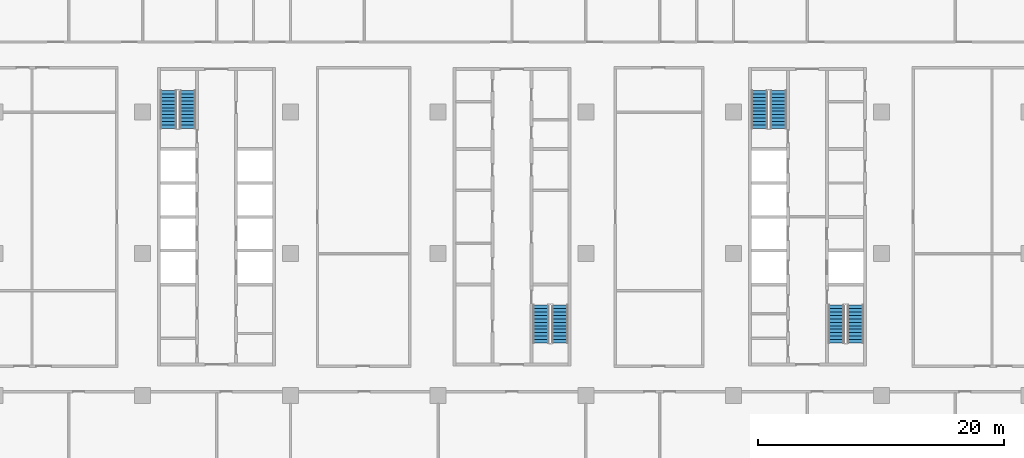
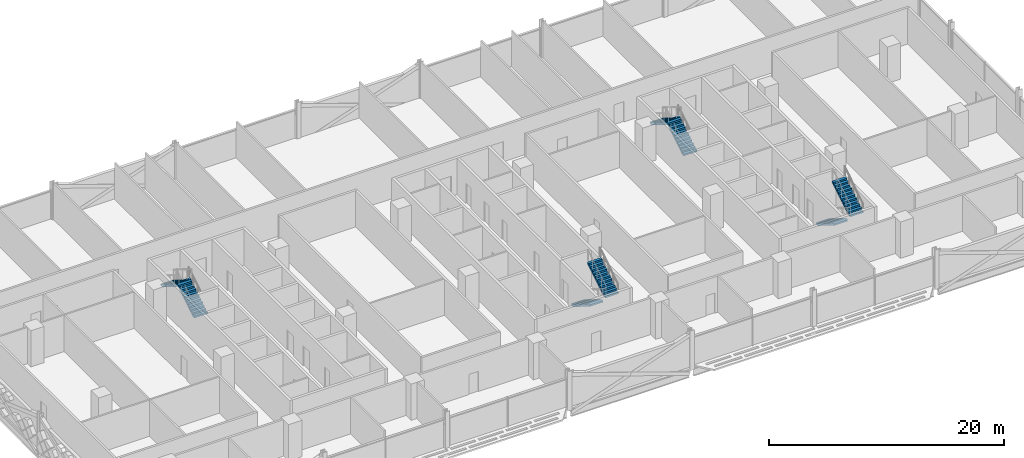
# One storey, part 19 of 29: 8 stair flights, 4 elements without a shape of their own.
"""IFC4 building model written with IfcOpenShell, lengths in metres."""

import ifcopenshell
import ifcopenshell.guid

model = None  # the IFC model being written
_history = None  # IfcOwnerHistory: only IFC2X3 demands one
_inside = {}  # id of a spatial element -> (the spatial element, [elements in it])
_under = {}  # id of a project, library or spatial element -> (it, [spatial elements below it])
_declared = {}  # id of a project -> (the project, [libraries it declares])
_typed = {}  # id of a type object -> (the type object, [elements of that type])
_made_of = {}  # id of a material, layer set ... -> (it, [elements and type objects made of it])


def new_model(schema):
    """Start an empty IFC model of exactly this schema.

    Asked for "IFC4X3", IfcOpenShell would pick the latest addendum, in which some entities
    have other attributes; the version numbers below select the first issue.
    IFC2X3 requires an IfcOwnerHistory on every rooted entity: one is made here for all.
    """
    global model, _history
    if schema == "IFC4X3":
        model = ifcopenshell.file(schema_version=(4, 3, 0, 0))
    else:
        model = ifcopenshell.file(schema=schema)
    _inside.clear()
    _under.clear()
    _declared.clear()
    _typed.clear()
    _made_of.clear()
    _history = None
    if model.schema == "IFC2X3":
        org = make("IfcOrganization", Name="unknown")
        user = make(
            "IfcPersonAndOrganization",
            ThePerson=make("IfcPerson", FamilyName="unknown"),
            TheOrganization=org,
        )
        app = make(
            "IfcApplication",
            ApplicationDeveloper=org,
            Version="unknown",
            ApplicationFullName="unknown",
            ApplicationIdentifier="unknown",
        )
        _history = make(
            "IfcOwnerHistory",
            OwningUser=user,
            OwningApplication=app,
            ChangeAction="ADDED",
            CreationDate=0,
        )
    return model


def make(cls, **values):
    """One entity of the class cls with the attributes given. An attribute that is None is left unset."""
    return model.create_entity(
        cls, **{name: value for name, value in values.items() if value is not None}
    )


def rooted(cls, **values):
    """An entity with a GlobalId (a new one), such as an element, a storey or a relation."""
    return make(cls, GlobalId=ifcopenshell.guid.new(), OwnerHistory=_history, **values)


def si_unit(unit_type, name, prefix=None):
    """IfcSIUnit, for example si_unit("LENGTHUNIT", "METRE", prefix="MILLI")."""
    return make("IfcSIUnit", UnitType=unit_type, Prefix=prefix, Name=name)


def assignment(units):
    """IfcUnitAssignment: the units of a project."""
    return None if units is None else make("IfcUnitAssignment", Units=units)


def point(xyz):
    """IfcCartesianPoint."""
    return None if xyz is None else make("IfcCartesianPoint", Coordinates=xyz)


def direction(xyz):
    """IfcDirection."""
    return None if xyz is None else make("IfcDirection", DirectionRatios=xyz)


def frame(location, z_axis=None, x_axis=None):
    """IfcAxis2Placement3D, a coordinate frame: its origin and axes. An axis left out is left unset."""
    return make(
        "IfcAxis2Placement3D",
        Location=point(location),
        Axis=direction(z_axis),
        RefDirection=direction(x_axis),
    )


def origin():
    """The frame at (0, 0, 0) with its axes left unset."""
    return frame((0.0, 0.0, 0.0))


def place(relative_to, where):
    """IfcLocalPlacement: puts the frame where relative to a parent placement (None: the world)."""
    return make(
        "IfcLocalPlacement", PlacementRelTo=relative_to, RelativePlacement=where
    )


def context(
    kind, dimensions, precision=None, world=None, true_north=None, identifier=None
):
    """IfcGeometricRepresentationContext, for example the 3D "Model" context."""
    return make(
        "IfcGeometricRepresentationContext",
        ContextIdentifier=identifier,
        ContextType=kind,
        CoordinateSpaceDimension=dimensions,
        Precision=precision,
        WorldCoordinateSystem=world,
        TrueNorth=true_north,
    )


def subcontext(parent, identifier, kind, view, scale=None):
    """IfcGeometricRepresentationSubContext, for example "Body" below "Model"."""
    return make(
        "IfcGeometricRepresentationSubContext",
        ContextIdentifier=identifier,
        ContextType=kind,
        ParentContext=parent,
        TargetScale=scale,
        TargetView=view,
    )


def project(units=None, contexts=None):
    """IfcProject with its units and contexts."""
    return rooted(
        "IfcProject",
        Name="project",
        RepresentationContexts=contexts,
        UnitsInContext=assignment(units),
    )


def spatial(cls, under=None, at=None, **own):
    """A site, building, storey or space (cls), placed at a placement, below another one or the project."""
    s = rooted(cls, ObjectPlacement=at, **own)
    if under is not None:
        _under.setdefault(under.id(), (under, []))[1].append(s)
    return s


def polyline(points):
    """IfcPolyline through the points."""
    return make("IfcPolyline", Points=[point(p) for p in points])


def outline(outer, holes=None, kind="AREA"):
    """IfcArbitraryClosedProfileDef: a profile drawn as a closed curve; with holes, ...WithVoids."""
    if holes is None:
        return make("IfcArbitraryClosedProfileDef", ProfileType=kind, OuterCurve=outer)
    return make(
        "IfcArbitraryProfileDefWithVoids",
        ProfileType=kind,
        OuterCurve=outer,
        InnerCurves=holes,
    )


def extrude(swept, where, along, depth):
    """IfcExtrudedAreaSolid: the profile swept, set in the frame where, extruded along a direction by depth."""
    return make(
        "IfcExtrudedAreaSolid",
        SweptArea=swept,
        Position=where,
        ExtrudedDirection=direction(along),
        Depth=depth,
    )


def shape(context_of_items, identifier, shape_type, items):
    """IfcShapeRepresentation: the items that make up one representation, for example the "Body"."""
    return make(
        "IfcShapeRepresentation",
        ContextOfItems=context_of_items,
        RepresentationIdentifier=identifier,
        RepresentationType=shape_type,
        Items=items,
    )


def material(Name=None, Category=None):
    """IfcMaterial."""
    return make("IfcMaterial", Name=Name, Category=Category)


def made_of(thing, what):
    """Note that an element or type object is made of a material, layer set ...; save() writes the relation."""
    if what is not None:
        _made_of.setdefault(what.id(), (what, []))[1].append(thing)
    return thing


def type_object(cls, material=None, **own):
    """A type object (cls), such as IfcWallType, which elements share."""
    return made_of(rooted(cls, **own), material)


def element(
    cls,
    number,
    at=None,
    inside=None,
    cuts=None,
    type_object=None,
    material=None,
    context=None,
    identifier="Body",
    shape_type=None,
    held_by="IfcProductDefinitionShape",
    body=None,
    shapes=None,
    **own,
):
    """One element of the class cls, such as IfcWall. Its Tag is "e" and its number.

    at: its placement. inside: the storey or other place that contains it. cuts: it is an
    opening in that element (IfcRelVoidsElement). A single representation is given by context,
    identifier, shape_type and body (its items); several are given by shapes. held_by: the class
    of the entity that holds the representations. save() writes the other relations.
    """
    e = rooted(cls, Tag="e%d" % number, ObjectPlacement=at, **own)
    if body is not None:
        shapes = [shape(context, identifier, shape_type, body)]
    if shapes is not None:
        e.Representation = make(held_by, Representations=shapes)
    if inside is not None:
        _inside.setdefault(inside.id(), (inside, []))[1].append(e)
    if cuts is not None:
        rooted(
            "IfcRelVoidsElement", RelatingBuildingElement=cuts, RelatedOpeningElement=e
        )
    if type_object is not None:
        _typed.setdefault(type_object.id(), (type_object, []))[1].append(e)
    return made_of(e, material)


def aggregate(whole, parts):
    """IfcRelAggregates: a whole, such as a stair, and the parts it consists of."""
    return rooted("IfcRelAggregates", RelatingObject=whole, RelatedObjects=parts)


def save(model, path):
    """Write the relations noted so far, then the file.

    IfcRelAggregates (storeys below a building ...), IfcRelContainedInSpatialStructure (elements
    in a storey), IfcRelDefinesByType, IfcRelAssociatesMaterial and IfcRelDeclares: one each for
    every whole, place, type object, material and project.
    """
    for whole, parts in _under.values():
        aggregate(whole, parts)
    for where, things in _inside.values():
        rooted(
            "IfcRelContainedInSpatialStructure",
            RelatedElements=things,
            RelatingStructure=where,
        )
    for kind, things in _typed.values():
        rooted("IfcRelDefinesByType", RelatedObjects=things, RelatingType=kind)
    for what, things in _made_of.values():
        rooted("IfcRelAssociatesMaterial", RelatedObjects=things, RelatingMaterial=what)
    for by, libraries in _declared.values():
        rooted("IfcRelDeclares", RelatingContext=by, RelatedDefinitions=libraries)
    model.write(path)


model = new_model("IFC4")

# Units and contexts
model_context = context("Model", 3, precision=1e-05, world=origin(), true_north=direction((0.0, 1.0)))
body_context = subcontext(model_context, "Body", "Model", "MODEL_VIEW")
ifc_project = project(units=[si_unit("LENGTHUNIT", "METRE"), si_unit("AREAUNIT", "SQUARE_METRE"), si_unit("VOLUMEUNIT", "CUBIC_METRE"), si_unit("PLANEANGLEUNIT", "RADIAN"), si_unit("MASSUNIT", "GRAM", prefix="KILO")], contexts=[model_context])

# Site, building, storey
site_placement = place(None, origin())
site = spatial("IfcSite", under=ifc_project, at=site_placement, CompositionType="ELEMENT")
building_placement = place(site_placement, origin())
building = spatial("IfcBuilding", under=site, at=building_placement, Name="Mahtab Terrace Research Tower", CompositionType="ELEMENT")
storey_placement = place(building_placement, frame((0.0, 0.0, 126.10009765625)))
storey = spatial("IfcBuildingStorey", under=building, at=storey_placement, Name="L29", CompositionType="ELEMENT", Elevation=126.10009765625)

# Stair, stair flights
ifc_material_1 = material(Name="Exit stair half-turn")
stair_type = type_object("IfcStairType", Name="Exit stair half-turn", PredefinedType="HALF_TURN_STAIR", material=ifc_material_1)
stair_1_placement = place(storey_placement, origin())
stair_1 = element("IfcStair", 1, at=stair_1_placement, inside=storey, type_object=stair_type, Name="L29 Protected exit stair ST1", PredefinedType="HALF_TURN_STAIR")
ifc_material_2 = material(Name="Concrete C40/50", Category="concrete")
stair_flight_type = type_object("IfcStairFlightType", Name="Exit stair flight 1300", PredefinedType="STRAIGHT", material=ifc_material_2)
stair_flight_1_placement = place(storey_placement, frame((-26.35009765625, 10.175048828125, 0.0), z_axis=(0.0, 0.0, 1.0), x_axis=(0.0, 1.0, 0.0)))
stair_flight_1 = element("IfcStairFlight", 2, at=stair_flight_1_placement, type_object=stair_flight_type, Name="ST1 flight 1", NumberOfRisers=12, NumberOfTreads=11, PredefinedType="STRAIGHT", RiserHeight=0.170833333, TreadLength=0.28, context=body_context, shape_type="SweptSolid", body=[
    extrude(outline(polyline([(0.0, 0.0), (0.0, 0.1708984375), (0.280029296875, 0.1708984375), (0.280029296875, 0.341552734375), (0.56005859375, 0.341552734375), (0.56005859375, 0.512451171875), (0.840087890625, 0.512451171875), (0.840087890625, 0.683349609375), (1.1201171875, 0.683349609375), (1.1201171875, 0.854248046875), (1.39990234375, 0.854248046875), (1.39990234375, 1.02490234375), (1.679931640625, 1.02490234375), (1.679931640625, 1.19580078125), (1.9599609375, 1.19580078125), (1.9599609375, 1.36669921875), (2.239990234375, 1.36669921875), (2.239990234375, 1.53759765625), (2.52001953125, 1.53759765625), (2.52001953125, 1.708251953125), (2.800048828125, 1.708251953125), (2.800048828125, 1.879150390625), (3.080078125, 1.879150390625), (3.080078125, 2.050048828125), (3.080078125, 1.70361328125), (0.287841796875, 0.0), (0.0, 0.0)])), frame((0.0, 0.64990234375, 0.0), z_axis=(0.0, -1.0, 0.0), x_axis=(1.0, 0.0, 0.0)), (0.0, 0.0, 1.0), 1.300048828125),
])
stair_flight_2_placement = place(storey_placement, frame((-27.89990234375, 13.2548828125, 2.0498046875), z_axis=(0.0, 0.0, 1.0), x_axis=(0.0, -1.0, 0.0)))
stair_flight_2 = element("IfcStairFlight", 3, at=stair_flight_2_placement, type_object=stair_flight_type, Name="ST1 flight 2", NumberOfRisers=12, NumberOfTreads=11, PredefinedType="STRAIGHT", RiserHeight=0.170833333, TreadLength=0.28, context=body_context, shape_type="SweptSolid", body=[
    extrude(outline(polyline([(0.0, 0.0), (0.0, 0.1708984375), (0.280029296875, 0.1708984375), (0.280029296875, 0.341552734375), (0.56005859375, 0.341552734375), (0.56005859375, 0.512451171875), (0.840087890625, 0.512451171875), (0.840087890625, 0.683349609375), (1.1201171875, 0.683349609375), (1.1201171875, 0.854248046875), (1.39990234375, 0.854248046875), (1.39990234375, 1.02490234375), (1.679931640625, 1.02490234375), (1.679931640625, 1.19580078125), (1.9599609375, 1.19580078125), (1.9599609375, 1.36669921875), (2.239990234375, 1.36669921875), (2.239990234375, 1.53759765625), (2.52001953125, 1.53759765625), (2.52001953125, 1.708251953125), (2.800048828125, 1.708251953125), (2.800048828125, 1.879150390625), (3.080078125, 1.879150390625), (3.080078125, 2.050048828125), (3.080078125, 1.70361328125), (0.287841796875, 0.0), (0.0, 0.0)])), frame((0.0, 0.64990234375, 0.0), z_axis=(0.0, -1.0, 0.0), x_axis=(1.0, 0.0, 0.0)), (0.0, 0.0, 1.0), 1.300048828125),
])
aggregate(stair_1, [stair_flight_1, stair_flight_2])

stair_2_placement = place(storey_placement, origin())
stair_2 = element("IfcStair", 4, at=stair_2_placement, inside=storey, type_object=stair_type, Name="L29 Protected exit stair ST2", PredefinedType="HALF_TURN_STAIR")
stair_flight_3_placement = place(storey_placement, frame((2.35009765625, -4.175048828125, 0.0), z_axis=(0.0, 0.0, 1.0), x_axis=(0.0, -1.0, 0.0)))
stair_flight_3 = element("IfcStairFlight", 5, at=stair_flight_3_placement, type_object=stair_flight_type, Name="ST2 flight 1", NumberOfRisers=12, NumberOfTreads=11, PredefinedType="STRAIGHT", RiserHeight=0.170833333, TreadLength=0.28, context=body_context, shape_type="SweptSolid", body=[
    extrude(outline(polyline([(0.0, 0.0), (0.0, 0.1708984375), (0.280029296875, 0.1708984375), (0.280029296875, 0.341552734375), (0.56005859375, 0.341552734375), (0.56005859375, 0.512451171875), (0.840087890625, 0.512451171875), (0.840087890625, 0.683349609375), (1.1201171875, 0.683349609375), (1.1201171875, 0.854248046875), (1.39990234375, 0.854248046875), (1.39990234375, 1.02490234375), (1.679931640625, 1.02490234375), (1.679931640625, 1.19580078125), (1.9599609375, 1.19580078125), (1.9599609375, 1.36669921875), (2.239990234375, 1.36669921875), (2.239990234375, 1.53759765625), (2.52001953125, 1.53759765625), (2.52001953125, 1.708251953125), (2.800048828125, 1.708251953125), (2.800048828125, 1.879150390625), (3.080078125, 1.879150390625), (3.080078125, 2.050048828125), (3.080078125, 1.70361328125), (0.287841796875, 0.0), (0.0, 0.0)])), frame((0.0, 0.64990234375, 0.0), z_axis=(0.0, -1.0, 0.0), x_axis=(1.0, 0.0, 0.0)), (0.0, 0.0, 1.0), 1.300048828125),
])
stair_flight_4_placement = place(storey_placement, frame((3.89990234375, -7.2548828125, 2.0498046875), z_axis=(0.0, 0.0, 1.0), x_axis=(0.0, 1.0, 0.0)))
stair_flight_4 = element("IfcStairFlight", 6, at=stair_flight_4_placement, type_object=stair_flight_type, Name="ST2 flight 2", NumberOfRisers=12, NumberOfTreads=11, PredefinedType="STRAIGHT", RiserHeight=0.170833333, TreadLength=0.28, context=body_context, shape_type="SweptSolid", body=[
    extrude(outline(polyline([(0.0, 0.0), (0.0, 0.1708984375), (0.280029296875, 0.1708984375), (0.280029296875, 0.341552734375), (0.56005859375, 0.341552734375), (0.56005859375, 0.512451171875), (0.840087890625, 0.512451171875), (0.840087890625, 0.683349609375), (1.1201171875, 0.683349609375), (1.1201171875, 0.854248046875), (1.39990234375, 0.854248046875), (1.39990234375, 1.02490234375), (1.679931640625, 1.02490234375), (1.679931640625, 1.19580078125), (1.9599609375, 1.19580078125), (1.9599609375, 1.36669921875), (2.239990234375, 1.36669921875), (2.239990234375, 1.53759765625), (2.52001953125, 1.53759765625), (2.52001953125, 1.708251953125), (2.800048828125, 1.708251953125), (2.800048828125, 1.879150390625), (3.080078125, 1.879150390625), (3.080078125, 2.050048828125), (3.080078125, 1.70361328125), (0.287841796875, 0.0), (0.0, 0.0)])), frame((0.0, 0.64990234375, 0.0), z_axis=(0.0, -1.0, 0.0), x_axis=(1.0, 0.0, 0.0)), (0.0, 0.0, 1.0), 1.300048828125),
])
aggregate(stair_2, [stair_flight_3, stair_flight_4])

stair_3_placement = place(storey_placement, origin())
stair_3 = element("IfcStair", 7, at=stair_3_placement, inside=storey, type_object=stair_type, Name="L29 Protected exit stair ST3", PredefinedType="HALF_TURN_STAIR")
stair_flight_5_placement = place(storey_placement, frame((21.64990234375, 10.175048828125, 0.0), z_axis=(0.0, 0.0, 1.0), x_axis=(0.0, 1.0, 0.0)))
stair_flight_5 = element("IfcStairFlight", 8, at=stair_flight_5_placement, type_object=stair_flight_type, Name="ST3 flight 1", NumberOfRisers=12, NumberOfTreads=11, PredefinedType="STRAIGHT", RiserHeight=0.170833333, TreadLength=0.28, context=body_context, shape_type="SweptSolid", body=[
    extrude(outline(polyline([(0.0, 0.0), (0.0, 0.1708984375), (0.280029296875, 0.1708984375), (0.280029296875, 0.341552734375), (0.56005859375, 0.341552734375), (0.56005859375, 0.512451171875), (0.840087890625, 0.512451171875), (0.840087890625, 0.683349609375), (1.1201171875, 0.683349609375), (1.1201171875, 0.854248046875), (1.39990234375, 0.854248046875), (1.39990234375, 1.02490234375), (1.679931640625, 1.02490234375), (1.679931640625, 1.19580078125), (1.9599609375, 1.19580078125), (1.9599609375, 1.36669921875), (2.239990234375, 1.36669921875), (2.239990234375, 1.53759765625), (2.52001953125, 1.53759765625), (2.52001953125, 1.708251953125), (2.800048828125, 1.708251953125), (2.800048828125, 1.879150390625), (3.080078125, 1.879150390625), (3.080078125, 2.050048828125), (3.080078125, 1.70361328125), (0.287841796875, 0.0), (0.0, 0.0)])), frame((0.0, 0.64990234375, 0.0), z_axis=(0.0, -1.0, 0.0), x_axis=(1.0, 0.0, 0.0)), (0.0, 0.0, 1.0), 1.300048828125),
])
stair_flight_6_placement = place(storey_placement, frame((20.10009765625, 13.2548828125, 2.0498046875), z_axis=(0.0, 0.0, 1.0), x_axis=(0.0, -1.0, 0.0)))
stair_flight_6 = element("IfcStairFlight", 9, at=stair_flight_6_placement, type_object=stair_flight_type, Name="ST3 flight 2", NumberOfRisers=12, NumberOfTreads=11, PredefinedType="STRAIGHT", RiserHeight=0.170833333, TreadLength=0.28, context=body_context, shape_type="SweptSolid", body=[
    extrude(outline(polyline([(0.0, 0.0), (0.0, 0.1708984375), (0.280029296875, 0.1708984375), (0.280029296875, 0.341552734375), (0.56005859375, 0.341552734375), (0.56005859375, 0.512451171875), (0.840087890625, 0.512451171875), (0.840087890625, 0.683349609375), (1.1201171875, 0.683349609375), (1.1201171875, 0.854248046875), (1.39990234375, 0.854248046875), (1.39990234375, 1.02490234375), (1.679931640625, 1.02490234375), (1.679931640625, 1.19580078125), (1.9599609375, 1.19580078125), (1.9599609375, 1.36669921875), (2.239990234375, 1.36669921875), (2.239990234375, 1.53759765625), (2.52001953125, 1.53759765625), (2.52001953125, 1.708251953125), (2.800048828125, 1.708251953125), (2.800048828125, 1.879150390625), (3.080078125, 1.879150390625), (3.080078125, 2.050048828125), (3.080078125, 1.70361328125), (0.287841796875, 0.0), (0.0, 0.0)])), frame((0.0, 0.64990234375, 0.0), z_axis=(0.0, -1.0, 0.0), x_axis=(1.0, 0.0, 0.0)), (0.0, 0.0, 1.0), 1.300048828125),
])
aggregate(stair_3, [stair_flight_5, stair_flight_6])

stair_4_placement = place(storey_placement, origin())
stair_4 = element("IfcStair", 10, at=stair_4_placement, inside=storey, type_object=stair_type, Name="L29 Protected exit stair ST4", PredefinedType="HALF_TURN_STAIR")
stair_flight_7_placement = place(storey_placement, frame((26.35009765625, -4.175048828125, 0.0), z_axis=(0.0, 0.0, 1.0), x_axis=(0.0, -1.0, 0.0)))
stair_flight_7 = element("IfcStairFlight", 11, at=stair_flight_7_placement, type_object=stair_flight_type, Name="ST4 flight 1", NumberOfRisers=12, NumberOfTreads=11, PredefinedType="STRAIGHT", RiserHeight=0.170833333, TreadLength=0.28, context=body_context, shape_type="SweptSolid", body=[
    extrude(outline(polyline([(0.0, 0.0), (0.0, 0.1708984375), (0.280029296875, 0.1708984375), (0.280029296875, 0.341552734375), (0.56005859375, 0.341552734375), (0.56005859375, 0.512451171875), (0.840087890625, 0.512451171875), (0.840087890625, 0.683349609375), (1.1201171875, 0.683349609375), (1.1201171875, 0.854248046875), (1.39990234375, 0.854248046875), (1.39990234375, 1.02490234375), (1.679931640625, 1.02490234375), (1.679931640625, 1.19580078125), (1.9599609375, 1.19580078125), (1.9599609375, 1.36669921875), (2.239990234375, 1.36669921875), (2.239990234375, 1.53759765625), (2.52001953125, 1.53759765625), (2.52001953125, 1.708251953125), (2.800048828125, 1.708251953125), (2.800048828125, 1.879150390625), (3.080078125, 1.879150390625), (3.080078125, 2.050048828125), (3.080078125, 1.70361328125), (0.287841796875, 0.0), (0.0, 0.0)])), frame((0.0, 0.64990234375, 0.0), z_axis=(0.0, -1.0, 0.0), x_axis=(1.0, 0.0, 0.0)), (0.0, 0.0, 1.0), 1.300048828125),
])
stair_flight_8_placement = place(storey_placement, frame((27.89990234375, -7.2548828125, 2.0498046875), z_axis=(0.0, 0.0, 1.0), x_axis=(0.0, 1.0, 0.0)))
stair_flight_8 = element("IfcStairFlight", 12, at=stair_flight_8_placement, type_object=stair_flight_type, Name="ST4 flight 2", NumberOfRisers=12, NumberOfTreads=11, PredefinedType="STRAIGHT", RiserHeight=0.170833333, TreadLength=0.28, context=body_context, shape_type="SweptSolid", body=[
    extrude(outline(polyline([(0.0, 0.0), (0.0, 0.1708984375), (0.280029296875, 0.1708984375), (0.280029296875, 0.341552734375), (0.56005859375, 0.341552734375), (0.56005859375, 0.512451171875), (0.840087890625, 0.512451171875), (0.840087890625, 0.683349609375), (1.1201171875, 0.683349609375), (1.1201171875, 0.854248046875), (1.39990234375, 0.854248046875), (1.39990234375, 1.02490234375), (1.679931640625, 1.02490234375), (1.679931640625, 1.19580078125), (1.9599609375, 1.19580078125), (1.9599609375, 1.36669921875), (2.239990234375, 1.36669921875), (2.239990234375, 1.53759765625), (2.52001953125, 1.53759765625), (2.52001953125, 1.708251953125), (2.800048828125, 1.708251953125), (2.800048828125, 1.879150390625), (3.080078125, 1.879150390625), (3.080078125, 2.050048828125), (3.080078125, 1.70361328125), (0.287841796875, 0.0), (0.0, 0.0)])), frame((0.0, 0.64990234375, 0.0), z_axis=(0.0, -1.0, 0.0), x_axis=(1.0, 0.0, 0.0)), (0.0, 0.0, 1.0), 1.300048828125),
])
aggregate(stair_4, [stair_flight_7, stair_flight_8])

save(model, "model.ifc")
